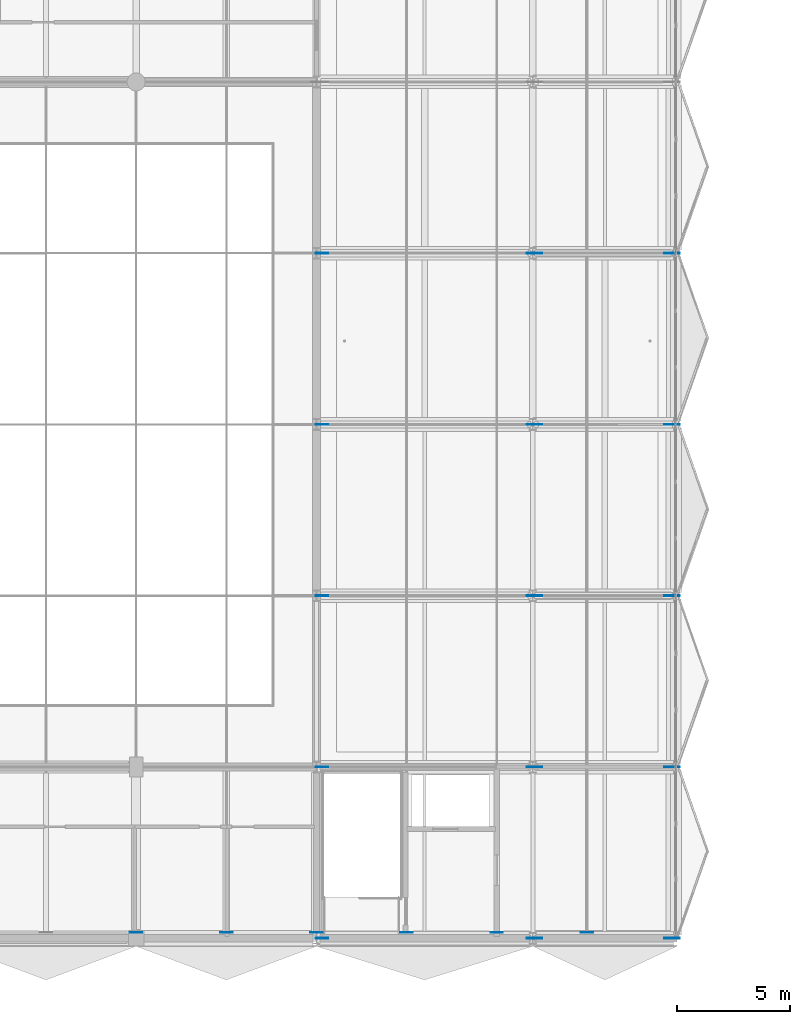
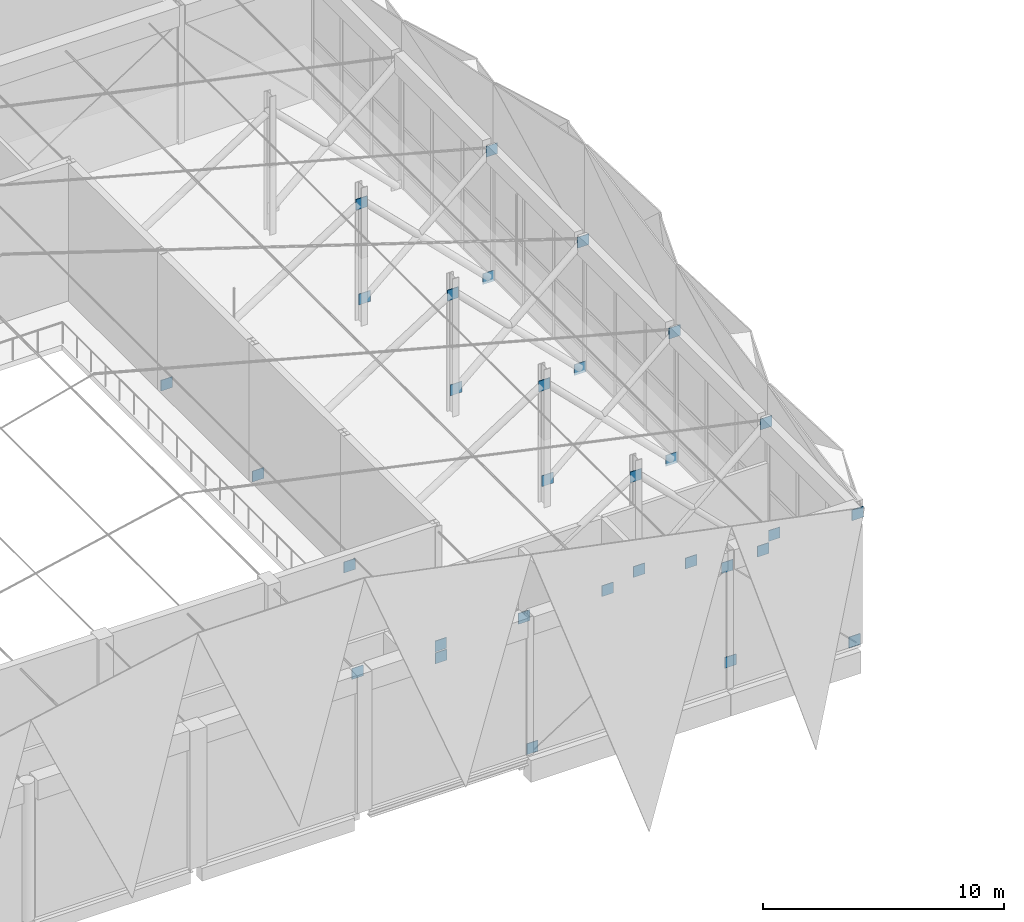
# One storey, part 28 of 46: 31 plates.
"""IFC4 building model written with IfcOpenShell, lengths in metres."""

import ifcopenshell
import ifcopenshell.guid

model = None  # the IFC model being written
_history = None  # IfcOwnerHistory: only IFC2X3 demands one
_inside = {}  # id of a spatial element -> (the spatial element, [elements in it])
_under = {}  # id of a project, library or spatial element -> (it, [spatial elements below it])
_declared = {}  # id of a project -> (the project, [libraries it declares])
_typed = {}  # id of a type object -> (the type object, [elements of that type])
_made_of = {}  # id of a material, layer set ... -> (it, [elements and type objects made of it])


def new_model(schema):
    """Start an empty IFC model of exactly this schema.

    Asked for "IFC4X3", IfcOpenShell would pick the latest addendum, in which some entities
    have other attributes; the version numbers below select the first issue.
    IFC2X3 requires an IfcOwnerHistory on every rooted entity: one is made here for all.
    """
    global model, _history
    if schema == "IFC4X3":
        model = ifcopenshell.file(schema_version=(4, 3, 0, 0))
    else:
        model = ifcopenshell.file(schema=schema)
    _inside.clear()
    _under.clear()
    _declared.clear()
    _typed.clear()
    _made_of.clear()
    _history = None
    if model.schema == "IFC2X3":
        org = make("IfcOrganization", Name="unknown")
        user = make(
            "IfcPersonAndOrganization",
            ThePerson=make("IfcPerson", FamilyName="unknown"),
            TheOrganization=org,
        )
        app = make(
            "IfcApplication",
            ApplicationDeveloper=org,
            Version="unknown",
            ApplicationFullName="unknown",
            ApplicationIdentifier="unknown",
        )
        _history = make(
            "IfcOwnerHistory",
            OwningUser=user,
            OwningApplication=app,
            ChangeAction="ADDED",
            CreationDate=0,
        )
    return model


def make(cls, **values):
    """One entity of the class cls with the attributes given. An attribute that is None is left unset."""
    return model.create_entity(
        cls, **{name: value for name, value in values.items() if value is not None}
    )


def rooted(cls, **values):
    """An entity with a GlobalId (a new one), such as an element, a storey or a relation."""
    return make(cls, GlobalId=ifcopenshell.guid.new(), OwnerHistory=_history, **values)


def si_unit(unit_type, name, prefix=None):
    """IfcSIUnit, for example si_unit("LENGTHUNIT", "METRE", prefix="MILLI")."""
    return make("IfcSIUnit", UnitType=unit_type, Prefix=prefix, Name=name)


def assignment(units):
    """IfcUnitAssignment: the units of a project."""
    return None if units is None else make("IfcUnitAssignment", Units=units)


def point(xyz):
    """IfcCartesianPoint."""
    return None if xyz is None else make("IfcCartesianPoint", Coordinates=xyz)


def direction(xyz):
    """IfcDirection."""
    return None if xyz is None else make("IfcDirection", DirectionRatios=xyz)


def frame(location, z_axis=None, x_axis=None):
    """IfcAxis2Placement3D, a coordinate frame: its origin and axes. An axis left out is left unset."""
    return make(
        "IfcAxis2Placement3D",
        Location=point(location),
        Axis=direction(z_axis),
        RefDirection=direction(x_axis),
    )


def frame_2d(location, x_axis=None):
    """IfcAxis2Placement2D, a coordinate frame in the plane: its origin and x axis."""
    return make(
        "IfcAxis2Placement2D", Location=point(location), RefDirection=direction(x_axis)
    )


def origin():
    """The frame at (0, 0, 0) with its axes left unset."""
    return frame((0.0, 0.0, 0.0))


def origin_2d():
    """The frame at (0, 0) in the plane with its x axis left unset."""
    return frame_2d((0.0, 0.0))


def place(relative_to, where):
    """IfcLocalPlacement: puts the frame where relative to a parent placement (None: the world)."""
    return make(
        "IfcLocalPlacement", PlacementRelTo=relative_to, RelativePlacement=where
    )


def context(
    kind, dimensions, precision=None, world=None, true_north=None, identifier=None
):
    """IfcGeometricRepresentationContext, for example the 3D "Model" context."""
    return make(
        "IfcGeometricRepresentationContext",
        ContextIdentifier=identifier,
        ContextType=kind,
        CoordinateSpaceDimension=dimensions,
        Precision=precision,
        WorldCoordinateSystem=world,
        TrueNorth=true_north,
    )


def subcontext(parent, identifier, kind, view, scale=None):
    """IfcGeometricRepresentationSubContext, for example "Body" below "Model"."""
    return make(
        "IfcGeometricRepresentationSubContext",
        ContextIdentifier=identifier,
        ContextType=kind,
        ParentContext=parent,
        TargetScale=scale,
        TargetView=view,
    )


def project(units=None, contexts=None):
    """IfcProject with its units and contexts."""
    return rooted(
        "IfcProject",
        Name="project",
        RepresentationContexts=contexts,
        UnitsInContext=assignment(units),
    )


def spatial(cls, under=None, at=None, **own):
    """A site, building, storey or space (cls), placed at a placement, below another one or the project."""
    s = rooted(cls, ObjectPlacement=at, **own)
    if under is not None:
        _under.setdefault(under.id(), (under, []))[1].append(s)
    return s


def profile(cls, at=None, kind="AREA", **sizes):
    """A parametric profile (cls). Its sizes go by their IFC names, for example OverallWidth=200.0."""
    return make(cls, ProfileType=kind, Position=at, **sizes)


def rectangle(**sizes):
    """IfcRectangleProfileDef."""
    return profile("IfcRectangleProfileDef", **sizes)


def extrude(swept, where, along, depth):
    """IfcExtrudedAreaSolid: the profile swept, set in the frame where, extruded along a direction by depth."""
    return make(
        "IfcExtrudedAreaSolid",
        SweptArea=swept,
        Position=where,
        ExtrudedDirection=direction(along),
        Depth=depth,
    )


def shape(context_of_items, identifier, shape_type, items):
    """IfcShapeRepresentation: the items that make up one representation, for example the "Body"."""
    return make(
        "IfcShapeRepresentation",
        ContextOfItems=context_of_items,
        RepresentationIdentifier=identifier,
        RepresentationType=shape_type,
        Items=items,
    )


def material(Name=None, Category=None):
    """IfcMaterial."""
    return make("IfcMaterial", Name=Name, Category=Category)


def layer(
    of_material, thickness, ventilated=None, Name=None, Category=None, Priority=None
):
    """IfcMaterialLayer: one layer of a wall or slab, of a material (None: an air gap)."""
    return make(
        "IfcMaterialLayer",
        Material=of_material,
        LayerThickness=thickness,
        IsVentilated=ventilated,
        Name=Name,
        Category=Category,
        Priority=Priority,
    )


def layer_set(layers, Name=None):
    """IfcMaterialLayerSet."""
    return make("IfcMaterialLayerSet", MaterialLayers=layers, LayerSetName=Name)


def made_of(thing, what):
    """Note that an element or type object is made of a material, layer set ...; save() writes the relation."""
    if what is not None:
        _made_of.setdefault(what.id(), (what, []))[1].append(thing)
    return thing


def type_object(cls, material=None, **own):
    """A type object (cls), such as IfcWallType, which elements share."""
    return made_of(rooted(cls, **own), material)


def element(
    cls,
    number,
    at=None,
    inside=None,
    cuts=None,
    type_object=None,
    material=None,
    context=None,
    identifier="Body",
    shape_type=None,
    held_by="IfcProductDefinitionShape",
    body=None,
    shapes=None,
    **own,
):
    """One element of the class cls, such as IfcWall. Its Tag is "e" and its number.

    at: its placement. inside: the storey or other place that contains it. cuts: it is an
    opening in that element (IfcRelVoidsElement). A single representation is given by context,
    identifier, shape_type and body (its items); several are given by shapes. held_by: the class
    of the entity that holds the representations. save() writes the other relations.
    """
    e = rooted(cls, Tag="e%d" % number, ObjectPlacement=at, **own)
    if body is not None:
        shapes = [shape(context, identifier, shape_type, body)]
    if shapes is not None:
        e.Representation = make(held_by, Representations=shapes)
    if inside is not None:
        _inside.setdefault(inside.id(), (inside, []))[1].append(e)
    if cuts is not None:
        rooted(
            "IfcRelVoidsElement", RelatingBuildingElement=cuts, RelatedOpeningElement=e
        )
    if type_object is not None:
        _typed.setdefault(type_object.id(), (type_object, []))[1].append(e)
    return made_of(e, material)


def aggregate(whole, parts):
    """IfcRelAggregates: a whole, such as a stair, and the parts it consists of."""
    return rooted("IfcRelAggregates", RelatingObject=whole, RelatedObjects=parts)


def save(model, path):
    """Write the relations noted so far, then the file.

    IfcRelAggregates (storeys below a building ...), IfcRelContainedInSpatialStructure (elements
    in a storey), IfcRelDefinesByType, IfcRelAssociatesMaterial and IfcRelDeclares: one each for
    every whole, place, type object, material and project.
    """
    for whole, parts in _under.values():
        aggregate(whole, parts)
    for where, things in _inside.values():
        rooted(
            "IfcRelContainedInSpatialStructure",
            RelatedElements=things,
            RelatingStructure=where,
        )
    for kind, things in _typed.values():
        rooted("IfcRelDefinesByType", RelatedObjects=things, RelatingType=kind)
    for what, things in _made_of.values():
        rooted("IfcRelAssociatesMaterial", RelatedObjects=things, RelatingMaterial=what)
    for by, libraries in _declared.values():
        rooted("IfcRelDeclares", RelatingContext=by, RelatedDefinitions=libraries)
    model.write(path)


model = new_model("IFC4")

# Units and contexts
model_context = context("Model", 3, precision=1e-05, world=origin(), true_north=direction((0.0, 1.0)))
body_context = subcontext(model_context, "Body", "Model", "MODEL_VIEW")
ifc_project = project(units=[si_unit("LENGTHUNIT", "METRE"), si_unit("AREAUNIT", "SQUARE_METRE"), si_unit("VOLUMEUNIT", "CUBIC_METRE"), si_unit("PLANEANGLEUNIT", "RADIAN"), si_unit("MASSUNIT", "GRAM", prefix="KILO")], contexts=[model_context])

# Site, building, storey
site_placement = place(None, origin())
site = spatial("IfcSite", under=ifc_project, at=site_placement, CompositionType="ELEMENT")
building_placement = place(site_placement, origin())
building = spatial("IfcBuilding", under=site, at=building_placement, Name="Khelvaren Railside Concert Hall", CompositionType="ELEMENT")
storey_placement = place(building_placement, frame((0.0, 0.0, 19.800048828125)))
storey = spatial("IfcBuildingStorey", under=building, at=storey_placement, Name="L04", CompositionType="ELEMENT", Elevation=19.800048828125)

# Plates
ifc_material = material(Name="Steel S355", Category="steel")
ifc_layer = layer(ifc_material, 0.028076171875)
ifc_layer_set = layer_set([ifc_layer], Name="Steel S355")
plate_type = type_object("IfcPlateType", Name="GP71", PredefinedType="USERDEFINED", material=ifc_layer_set)
for number, where, z_axis, x_axis, name in (
    (1, (55.699951171875, 0.0, -0.125), (0.0, 0.0, 1.0), (1.0, 0.0, 0.0), "Cantilever Truss End Node Assembly L04-1-TIP"),
    (2, (49.60009765625, 0.0, 5.77490234375), (0.0, 0.0, 1.0), (1.0, 0.0, 0.0), "Cantilever Truss End Node Assembly L04-1-TOP"),
    (3, (40.25, 0.0, -0.125), (0.0, 0.0, 1.0), (1.0, 0.0, 0.0), "Cantilever Truss End Node Assembly L04-1-BS"),
    (4, (55.699951171875, 7.60009765625, -0.125), (0.0, 0.0, 1.0), (1.0, 0.0, 0.0), "Cantilever Truss End Node Assembly L04-2-TIP"),
    (5, (49.60009765625, 7.60009765625, 5.77490234375), (0.0, 0.0, 1.0), (1.0, 0.0, 0.0), "Cantilever Truss End Node Assembly L04-2-TOP"),
    (6, (40.25, 7.60009765625, -0.125), (0.0, 0.0, 1.0), (1.0, 0.0, 0.0), "Cantilever Truss End Node Assembly L04-2-BS"),
    (7, (55.699951171875, 15.199951171875, -0.125), (0.0, 0.0, 1.0), (1.0, 0.0, 0.0), "Cantilever Truss End Node Assembly L04-3-TIP"),
    (8, (49.60009765625, 15.199951171875, 5.77490234375), (0.0, 0.0, 1.0), (1.0, 0.0, 0.0), "Cantilever Truss End Node Assembly L04-3-TOP"),
    (9, (40.25, 15.199951171875, -0.125), (0.0, 0.0, 1.0), (1.0, 0.0, 0.0), "Cantilever Truss End Node Assembly L04-3-BS"),
    (10, (55.699951171875, 22.800048828125, -0.125), (0.0, 0.0, 1.0), (1.0, 0.0, 0.0), "Cantilever Truss End Node Assembly L04-4-TIP"),
    (11, (49.60009765625, 22.800048828125, 5.77490234375), (0.0, 0.0, 1.0), (1.0, 0.0, 0.0), "Cantilever Truss End Node Assembly L04-4-TOP"),
    (12, (40.25, 22.800048828125, -0.125), (0.0, 0.0, 1.0), (1.0, 0.0, 0.0), "Cantilever Truss End Node Assembly L04-4-BS"),
    (13, (55.699951171875, 30.39990234375, -0.125), (0.0, 0.0, 1.0), (1.0, 0.0, 0.0), "Cantilever Truss End Node Assembly L04-5-TIP"),
    (14, (49.60009765625, 30.39990234375, 5.77490234375), (0.0, 0.0, 1.0), (1.0, 0.0, 0.0), "Cantilever Truss End Node Assembly L04-5-TOP"),
    (15, (40.25, 30.39990234375, -0.125), (0.0, 0.0, 1.0), (1.0, 0.0, 0.0), "Cantilever Truss End Node Assembly L04-5-BS"),
    (16, (49.75, 0.0, 0.9248046875), (0.0, 0.0, 1.0), (1.0, 0.0, 0.0), "East Ring Strut End Node Cap 1-BOT"),
    (17, (55.85009765625, 0.0, 6.27490234375), (0.0, 0.0, 1.0), (1.0, 0.0, 0.0), "East Ring Strut End Node Cap 1-TOP"),
    (18, (49.75, 7.60009765625, 0.9248046875), (0.0, 0.0, 1.0), (1.0, 0.0, 0.0), "East Ring Strut End Node Cap 2-BOT"),
    (19, (55.85009765625, 7.60009765625, 6.27490234375), (0.0, 0.0, 1.0), (1.0, 0.0, 0.0), "East Ring Strut End Node Cap 2-TOP"),
    (20, (49.75, 15.199951171875, 0.9248046875), (0.0, 0.0, 1.0), (1.0, 0.0, 0.0), "East Ring Strut End Node Cap 3-BOT"),
    (21, (55.85009765625, 15.199951171875, 6.27490234375), (0.0, 0.0, 1.0), (1.0, 0.0, 0.0), "East Ring Strut End Node Cap 3-TOP"),
    (22, (49.75, 22.800048828125, 0.9248046875), (0.0, 0.0, 1.0), (1.0, 0.0, 0.0), "East Ring Strut End Node Cap 4-BOT"),
    (23, (55.85009765625, 22.800048828125, 6.27490234375), (0.0, 0.0, 1.0), (1.0, 0.0, 0.0), "East Ring Strut End Node Cap 4-TOP"),
    (24, (49.75, 30.39990234375, 0.9248046875), (0.0, 0.0, 1.0), (1.0, 0.0, 0.0), "East Ring Strut End Node Cap 5-BOT"),
    (25, (55.85009765625, 30.39990234375, 6.27490234375), (0.0, 0.0, 1.0), (1.0, 0.0, 0.0), "East Ring Strut End Node Cap 5-TOP"),
    (26, (32.0, 0.25, 6.4248046875), (0.0, 0.0, 1.0), (1.0, 0.0, 0.0), "Cable Anchorage Gusset Plate S-8"),
    (27, (36.0, 0.25, 6.4248046875), (0.0, 0.0, 1.0), (1.0, 0.0, 0.0), "Cable Anchorage Gusset Plate S-9"),
    (28, (40.0, 0.25, 6.4248046875), (0.0, 0.0, 1.0), (1.0, 0.0, 0.0), "Cable Anchorage Gusset Plate S-10"),
    (29, (44.0, 0.25, 6.4248046875), (0.0, 0.0, 1.0), (1.0, 0.0, 0.0), "Cable Anchorage Gusset Plate S-11"),
    (30, (48.0, 0.25, 6.4248046875), (0.0, 0.0, 1.0), (1.0, 0.0, 0.0), "Cable Anchorage Gusset Plate S-12"),
    (31, (52.0, 0.25, 6.4248046875), (0.0, 0.0, 1.0), (1.0, 0.0, 0.0), "Cable Anchorage Gusset Plate S-13"),
):
    element("IfcPlate", number, at=place(storey_placement, frame(where, z_axis=z_axis, x_axis=x_axis)), inside=storey, type_object=plate_type, Name=name, ObjectType="GUSSET PLATE", PredefinedType="USERDEFINED", context=body_context, shape_type="SweptSolid", body=[
        extrude(rectangle(XDim=0.550048828125, YDim=0.028076171875, at=origin_2d()), origin(), (0.0, 0.0, 1.0), 0.550048828125),
    ])

save(model, "model.ifc")
